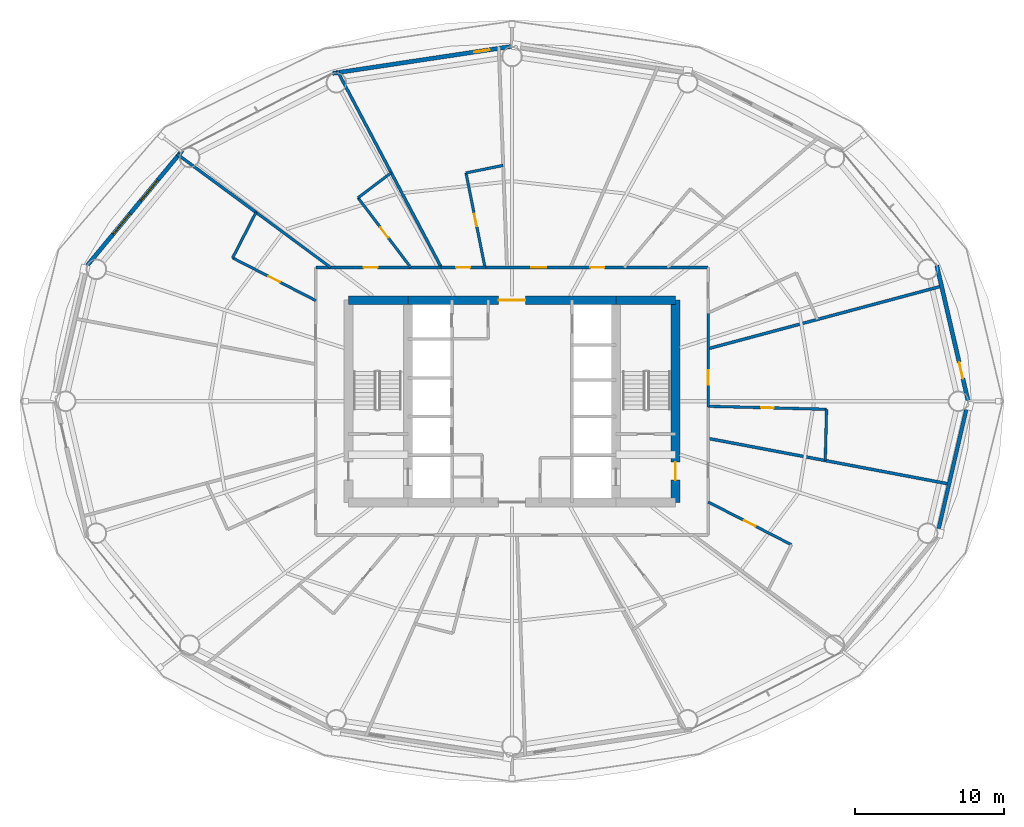
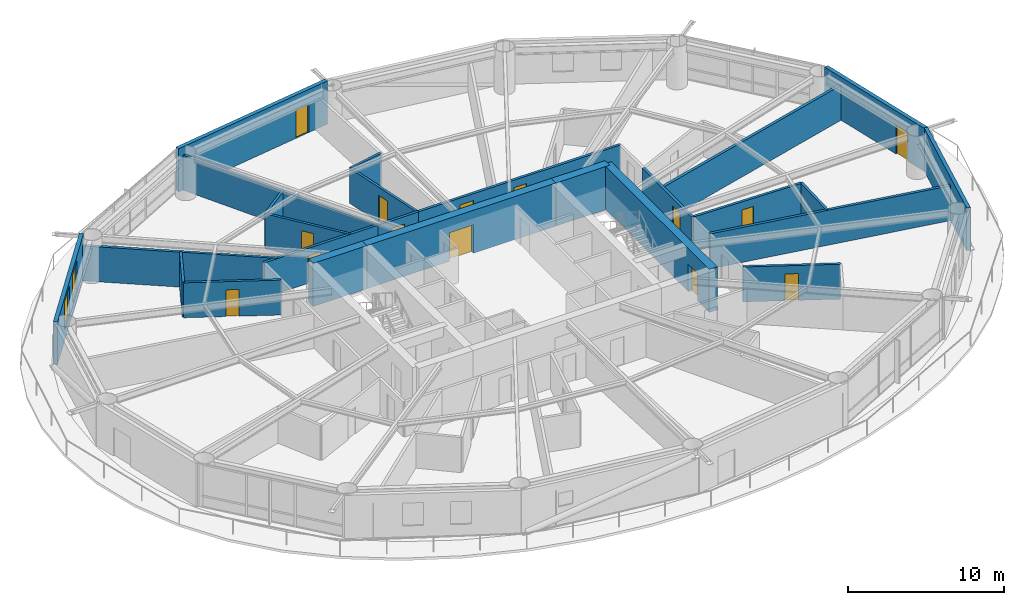
# One storey, part 22 of 26: 26 walls, 14 doors, 2 windows, 16 openings.
"""IFC4 building model written with IfcOpenShell, lengths in metres."""

from ifc_helpers import new_model, si_unit, direction, frame, frame_2d, origin, place, context, subcontext, project, spatial, rectangle, extrude, material, layer, layer_set, type_object, element, fill, save


model = new_model("IFC4")

# Units and contexts
model_context = context("Model", 3, precision=1e-05, world=origin(), true_north=direction((0.0, 1.0)))
body_context = subcontext(model_context, "Body", "Model", "MODEL_VIEW")
ifc_project = project(units=[si_unit("LENGTHUNIT", "METRE"), si_unit("AREAUNIT", "SQUARE_METRE"), si_unit("VOLUMEUNIT", "CUBIC_METRE"), si_unit("PLANEANGLEUNIT", "RADIAN"), si_unit("MASSUNIT", "GRAM", prefix="KILO")], contexts=[model_context])

# Site, building, storey
site_placement = place(None, origin())
site = spatial("IfcSite", under=ifc_project, at=site_placement, CompositionType="ELEMENT")
building_placement = place(site_placement, origin())
building = spatial("IfcBuilding", under=site, at=building_placement, Name="Sarneth Arch Tower", CompositionType="ELEMENT")
storey_placement = place(building_placement, frame((0.0, 0.0, 46.199951171875)))
storey = spatial("IfcBuildingStorey", under=building, at=storey_placement, Name="L10", CompositionType="ELEMENT", Elevation=46.199951171875)

# Wall
ifc_material_1 = material(Name="Concrete C60/75", Category="concrete")
ifc_layer_1 = layer(ifc_material_1, 0.60009765625)
ifc_layer_set_1 = layer_set([ifc_layer_1], Name="Concrete C60/75")
wall_type_1 = type_object("IfcWallType", Name="WALL-CORE-600", PredefinedType="SHEAR", material=ifc_layer_set_1)
wall_1_placement = place(storey_placement, frame((37.0, 48.800048828125, 0.0), z_axis=(0.0, 0.0, 1.0), x_axis=(1.0, 0.0, 0.0)))
element("IfcWall", 1, at=wall_1_placement, inside=storey, type_object=wall_type_1, Name="L10 Core shear wall N-W", PredefinedType="SHEAR", context=body_context, shape_type="SweptSolid", body=[
    extrude(rectangle(XDim=4.0, YDim=0.60009765625, at=frame_2d((2.0, 0.0))), origin(), (0.0, 0.0, 1.0), 3.380126953125),
])

# Wall, opening, door
wall_2_placement = place(storey_placement, frame((41.0, 48.800048828125, 0.0), z_axis=(0.0, 0.0, 1.0), x_axis=(1.0, 0.0, 0.0)))
wall_2 = element("IfcWall", 2, at=wall_2_placement, inside=storey, type_object=wall_type_1, Name="L10 Core shear wall N-M", PredefinedType="SHEAR", context=body_context, shape_type="SweptSolid", body=[
    extrude(rectangle(XDim=14.0, YDim=0.60009765625, at=frame_2d((7.0, 0.0))), origin(), (0.0, 0.0, 1.0), 3.380126953125),
])
opening_1_placement = place(wall_2_placement, frame((6.10009765625, 0.0, 0.0)))
opening_1 = element("IfcOpeningElement", 3, at=opening_1_placement, cuts=wall_2, Name="Opening FD-01", PredefinedType="OPENING", context=body_context, shape_type="SweptSolid", body=[
    extrude(rectangle(XDim=1.800048828125, YDim=2.25, at=frame_2d((0.89990234375, 1.125))), frame((0.0, 0.31005859375, 0.0), z_axis=(0.0, -1.0, 0.0), x_axis=(1.0, 0.0, 0.0)), (0.0, 0.0, 1.0), 0.6201171875),
])
ifc_material_2 = material(Name="Galvanised Steel S275 fire door set", Category="steel")
door_type_1 = type_object("IfcDoorType", Name="DR-FD90-1800", OperationType="DOUBLE_DOOR_SINGLE_SWING", PredefinedType="DOOR", material=ifc_material_2)
door_1_placement = place(opening_1_placement, origin())
door_1 = element("IfcDoor", 4, at=door_1_placement, inside=storey, type_object=door_type_1, Name="L10 Central lift lobby north door", OperationType="DOUBLE_DOOR_SINGLE_SWING", OverallHeight=2.25, OverallWidth=1.800048828125, PredefinedType="DOOR", context=body_context, shape_type="SweptSolid", body=[
    extrude(rectangle(XDim=1.800048828125, YDim=2.25, at=frame_2d((0.89990234375, 1.125))), frame((0.0, 0.02490234375, 0.0), z_axis=(0.0, -1.0, 0.0), x_axis=(1.0, 0.0, 0.0)), (0.0, 0.0, 1.0), 0.050048828125),
])
fill(opening_1, door_1)

# Wall
wall_3_placement = place(storey_placement, frame((55.0, 48.800048828125, 0.0), z_axis=(0.0, 0.0, 1.0), x_axis=(1.0, 0.0, 0.0)))
element("IfcWall", 5, at=wall_3_placement, inside=storey, type_object=wall_type_1, Name="L10 Core shear wall N-E", PredefinedType="SHEAR", context=body_context, shape_type="SweptSolid", body=[
    extrude(rectangle(XDim=4.0, YDim=0.60009765625, at=frame_2d((2.0, 0.0))), origin(), (0.0, 0.0, 1.0), 3.380126953125),
])

# Wall, opening, door
wall_4_placement = place(storey_placement, frame((59.0, 35.199951171875, 0.0), z_axis=(0.0, 0.0, 1.0), x_axis=(0.0, 1.0, 0.0)))
wall_4 = element("IfcWall", 6, at=wall_4_placement, inside=storey, type_object=wall_type_1, Name="L10 Core shear wall E", PredefinedType="SHEAR", context=body_context, shape_type="SweptSolid", body=[
    extrude(rectangle(XDim=13.60009765625, YDim=0.60009765625, at=frame_2d((6.800048828125, 0.0))), origin(), (0.0, 0.0, 1.0), 3.380126953125),
])
opening_2_placement = place(wall_4_placement, frame((1.5, 0.0, 0.0)))
opening_2 = element("IfcOpeningElement", 7, at=opening_2_placement, cuts=wall_4, Name="Opening FD-02", PredefinedType="OPENING", context=body_context, shape_type="SweptSolid", body=[
    extrude(rectangle(XDim=1.199951171875, YDim=2.14990234375, at=frame_2d((0.60009765625, 1.074951171875))), frame((0.0, 0.31005859375, 0.0), z_axis=(0.0, -1.0, 0.0), x_axis=(1.0, 0.0, 0.0)), (0.0, 0.0, 1.0), 0.6201171875),
])
ifc_material_3 = material(Name="Galvanised Steel S275 fire door set", Category="steel")
door_type_2 = type_object("IfcDoorType", Name="DR-FD90-1200", OperationType="SINGLE_SWING_LEFT", PredefinedType="DOOR", material=ifc_material_3)
door_2_placement = place(opening_2_placement, origin())
door_2 = element("IfcDoor", 8, at=door_2_placement, inside=storey, type_object=door_type_2, Name="L10 Firefighting lobby 2 exit door", OperationType="SINGLE_SWING_RIGHT", OverallHeight=2.14990234375, OverallWidth=1.199951171875, PredefinedType="DOOR", context=body_context, shape_type="SweptSolid", body=[
    extrude(rectangle(XDim=1.199951171875, YDim=2.14990234375, at=frame_2d((0.60009765625, 1.074951171875))), frame((0.0, 0.02490234375, 0.0), z_axis=(0.0, -1.0, 0.0), x_axis=(1.0, 0.0, 0.0)), (0.0, 0.0, 1.0), 0.050048828125),
])
fill(opening_2, door_2)

ifc_material_4 = material(Name="Double steel-stud corridor fire wall", Category="steel")
ifc_layer_2 = layer(ifc_material_4, 0.18994140625)
ifc_layer_set_2 = layer_set([ifc_layer_2], Name="Double steel-stud corridor fire wall")
wall_type_2 = type_object("IfcWallType", Name="WALL-CORR-190", PredefinedType="PARTITIONING", material=ifc_layer_set_2)
wall_5_placement = place(storey_placement, frame((34.800048828125, 51.0, 0.0), z_axis=(0.0, 0.0, 1.0), x_axis=(1.0, 0.0, 0.0)))
wall_5 = element("IfcWall", 9, at=wall_5_placement, inside=storey, type_object=wall_type_2, Name="L10 Interior partition W-L10-TP-009", PredefinedType="PARTITIONING", context=body_context, shape_type="SweptSolid", body=[
    extrude(rectangle(XDim=8.4794921875, YDim=0.18994140625, at=frame_2d((4.23974609375, 0.0))), origin(), (0.0, 0.0, 1.0), 2.739990234375),
])
opening_3_placement = place(wall_5_placement, frame((3.2158203125, 0.0, 0.0)))
opening_3 = element("IfcOpeningElement", 10, at=opening_3_placement, cuts=wall_5, Name="Opening FD-09", PredefinedType="OPENING", context=body_context, shape_type="SweptSolid", body=[
    extrude(rectangle(XDim=0.949951171875, YDim=2.14990234375, at=frame_2d((0.47509765625, 1.074951171875))), frame((0.0, 0.10498046875, 0.0), z_axis=(0.0, -1.0, 0.0), x_axis=(1.0, 0.0, 0.0)), (0.0, 0.0, 1.0), 0.2099609375),
])
ifc_material_5 = material(Name="Hardwood timber hotel entrance fire door", Category="wood")
door_type_3 = type_object("IfcDoorType", Name="DR-FD60-950", OperationType="SINGLE_SWING_RIGHT", PredefinedType="DOOR", material=ifc_material_5)
door_3_placement = place(opening_3_placement, origin())
door_3 = element("IfcDoor", 11, at=door_3_placement, inside=storey, type_object=door_type_3, Name="L10 Interior door DR-L10-KEY-05", OperationType="SINGLE_SWING_LEFT", OverallHeight=2.14990234375, OverallWidth=0.949951171875, PredefinedType="DOOR", context=body_context, shape_type="SweptSolid", body=[
    extrude(rectangle(XDim=0.949951171875, YDim=2.14990234375, at=frame_2d((0.47509765625, 1.074951171875))), frame((0.0, 0.02490234375, 0.0), z_axis=(0.0, -1.0, 0.0), x_axis=(1.0, 0.0, 0.0)), (0.0, 0.0, 1.0), 0.050048828125),
])
fill(opening_3, door_3)

# Wall, openings, doors
wall_6_placement = place(storey_placement, frame((46.152587890625, 51.0, 0.0), z_axis=(0.0, 0.0, 1.0), x_axis=(1.0, 0.0, 0.0)))
wall_6 = element("IfcWall", 12, at=wall_6_placement, inside=storey, type_object=wall_type_2, Name="L10 Interior partition W-L10-TP-006", PredefinedType="PARTITIONING", context=body_context, shape_type="SweptSolid", body=[
    extrude(rectangle(XDim=15.04736328125, YDim=0.18994140625, at=frame_2d((7.523681640625, 0.0))), origin(), (0.0, 0.0, 1.0), 2.739990234375),
])
opening_4_placement = place(wall_6_placement, frame((3.143798828125, 0.0, 0.0)))
opening_4 = element("IfcOpeningElement", 13, at=opening_4_placement, cuts=wall_6, Name="Opening FD-08", PredefinedType="OPENING", context=body_context, shape_type="SweptSolid", body=[
    extrude(rectangle(XDim=1.0, YDim=2.199951171875, at=frame_2d((0.5, 1.10009765625))), frame((0.0, 0.10498046875, 0.0), z_axis=(0.0, -1.0, 0.0), x_axis=(1.0, 0.0, 0.0)), (0.0, 0.0, 1.0), 0.2099609375),
])
opening_5_placement = place(wall_6_placement, frame((7.118896484375, 0.0, 0.0)))
opening_5 = element("IfcOpeningElement", 14, at=opening_5_placement, cuts=wall_6, Name="Opening FD-09", PredefinedType="OPENING", context=body_context, shape_type="SweptSolid", body=[
    extrude(rectangle(XDim=0.949951171875, YDim=2.14990234375, at=frame_2d((0.47509765625, 1.074951171875))), frame((0.0, 0.10498046875, 0.0), z_axis=(0.0, -1.0, 0.0), x_axis=(1.0, 0.0, 0.0)), (0.0, 0.0, 1.0), 0.2099609375),
])
ifc_material_6 = material(Name="Hardwood timber acoustic fire door", Category="wood")
door_type_4 = type_object("IfcDoorType", Name="DR-FD60-1000", OperationType="SINGLE_SWING_LEFT", PredefinedType="DOOR", material=ifc_material_6)
door_4_placement = place(opening_4_placement, origin())
door_4 = element("IfcDoor", 15, at=door_4_placement, inside=storey, type_object=door_type_4, Name="L10 Interior door DR-L10-AMN-03", OperationType="SINGLE_SWING_RIGHT", OverallHeight=2.199951171875, OverallWidth=1.0, PredefinedType="DOOR", context=body_context, shape_type="SweptSolid", body=[
    extrude(rectangle(XDim=1.0, YDim=2.199951171875, at=frame_2d((0.5, 1.10009765625))), frame((0.0, 0.02490234375, 0.0), z_axis=(0.0, -1.0, 0.0), x_axis=(1.0, 0.0, 0.0)), (0.0, 0.0, 1.0), 0.050048828125),
])
fill(opening_4, door_4)
door_5_placement = place(opening_5_placement, origin())
door_5 = element("IfcDoor", 16, at=door_5_placement, inside=storey, type_object=door_type_3, Name="L10 Interior door DR-L10-KEY-02", OperationType="SINGLE_SWING_RIGHT", OverallHeight=2.14990234375, OverallWidth=0.949951171875, PredefinedType="DOOR", context=body_context, shape_type="SweptSolid", body=[
    extrude(rectangle(XDim=0.949951171875, YDim=2.14990234375, at=frame_2d((0.47509765625, 1.074951171875))), frame((0.0, 0.02490234375, 0.0), z_axis=(0.0, -1.0, 0.0), x_axis=(1.0, 0.0, 0.0)), (0.0, 0.0, 1.0), 0.050048828125),
])
fill(opening_5, door_5)

# Wall, opening, door
wall_7_placement = place(storey_placement, frame((61.199951171875, 47.983154296875, 0.0), z_axis=(0.0, 0.0, 1.0), x_axis=(0.0, -1.0, 0.0)))
wall_7 = element("IfcWall", 17, at=wall_7_placement, inside=storey, type_object=wall_type_2, Name="L10 Interior partition W-L10-TP-028", PredefinedType="PARTITIONING", context=body_context, shape_type="SweptSolid", body=[
    extrude(rectangle(XDim=6.35107421875, YDim=0.18994140625, at=frame_2d((3.175537109375, 0.0))), origin(), (0.0, 0.0, 1.0), 2.739990234375),
])
opening_6_placement = place(wall_7_placement, frame((3.906982421875, 0.0, 0.0)))
opening_6 = element("IfcOpeningElement", 18, at=opening_6_placement, cuts=wall_7, Name="Opening FD-09", PredefinedType="OPENING", context=body_context, shape_type="SweptSolid", body=[
    extrude(rectangle(XDim=0.949951171875, YDim=2.14990234375, at=frame_2d((0.47509765625, 1.074951171875))), frame((0.0, 0.10498046875, 0.0), z_axis=(0.0, -1.0, 0.0), x_axis=(1.0, 0.0, 0.0)), (0.0, 0.0, 1.0), 0.2099609375),
])
door_6_placement = place(opening_6_placement, origin())
door_6 = element("IfcDoor", 19, at=door_6_placement, inside=storey, type_object=door_type_3, Name="L10 Interior door DR-L10-KEY-14", OperationType="SINGLE_SWING_RIGHT", OverallHeight=2.14990234375, OverallWidth=0.949951171875, PredefinedType="DOOR", context=body_context, shape_type="SweptSolid", body=[
    extrude(rectangle(XDim=0.949951171875, YDim=2.14990234375, at=frame_2d((0.47509765625, 1.074951171875))), frame((0.0, 0.02490234375, 0.0), z_axis=(0.0, -1.0, 0.0), x_axis=(1.0, 0.0, 0.0)), (0.0, 0.0, 1.0), 0.050048828125),
])
fill(opening_6, door_6)

wall_8_placement = place(storey_placement, frame((43.207275390625, 51.0, 0.0), z_axis=(0.0, 0.0, 1.0), x_axis=(1.0, 0.0, 0.0)))
wall_8 = element("IfcWall", 20, at=wall_8_placement, inside=storey, type_object=wall_type_2, Name="L10 Interior partition W-L10-TP-007", PredefinedType="PARTITIONING", context=body_context, shape_type="SweptSolid", body=[
    extrude(rectangle(XDim=3.0107421875, YDim=0.18994140625, at=frame_2d((1.50537109375, 0.0))), origin(), (0.0, 0.0, 1.0), 2.739990234375),
])
opening_7_placement = place(wall_8_placement, frame((1.0302734375, 0.0, 0.0)))
opening_7 = element("IfcOpeningElement", 21, at=opening_7_placement, cuts=wall_8, Name="Opening FD-09", PredefinedType="OPENING", context=body_context, shape_type="SweptSolid", body=[
    extrude(rectangle(XDim=0.949951171875, YDim=2.14990234375, at=frame_2d((0.47509765625, 1.074951171875))), frame((0.0, 0.10498046875, 0.0), z_axis=(0.0, -1.0, 0.0), x_axis=(1.0, 0.0, 0.0)), (0.0, 0.0, 1.0), 0.2099609375),
])
door_7_placement = place(opening_7_placement, origin())
door_7 = element("IfcDoor", 22, at=door_7_placement, inside=storey, type_object=door_type_3, Name="L10 Interior door DR-L10-KEY-04", OperationType="SINGLE_SWING_LEFT", OverallHeight=2.14990234375, OverallWidth=0.949951171875, PredefinedType="DOOR", context=body_context, shape_type="SweptSolid", body=[
    extrude(rectangle(XDim=0.949951171875, YDim=2.14990234375, at=frame_2d((0.47509765625, 1.074951171875))), frame((0.0, 0.02490234375, 0.0), z_axis=(0.0, -1.0, 0.0), x_axis=(1.0, 0.0, 0.0)), (0.0, 0.0, 1.0), 0.050048828125),
])
fill(opening_7, door_7)

# Wall
ifc_material_7 = material(Name="Extruded terracotta rainscreen on Concrete C40/50 backing", Category="masonry")
ifc_layer_3 = layer(ifc_material_7, 0.25)
ifc_layer_set_3 = layer_set([ifc_layer_3], Name="Extruded terracotta rainscreen on Concrete C40/50 backing")
wall_type_3 = type_object("IfcWallType", Name="WALL-EXT-SPAND-250", PredefinedType="SOLIDWALL", material=ifc_layer_set_3)
wall_9_placement = place(storey_placement, frame((76.5810546875, 32.861572265625, 0.0), z_axis=(0.0, 0.0, 1.0), x_axis=(0.225454452941, 0.974253709076, 0.0)))
element("IfcWall", 23, at=wall_9_placement, inside=storey, type_object=wall_type_3, Name="L10 Terracotta perimeter wall 16", PredefinedType="SOLIDWALL", context=body_context, shape_type="SweptSolid", body=[
    extrude(rectangle(XDim=9.3798828125, YDim=0.25, at=frame_2d((4.68994140625, 0.0))), origin(), (0.0, 0.0, 1.0), 3.380126953125),
])

# Wall, opening, door
ifc_material_8 = material(Name="Extruded terracotta rainscreen on Concrete C40/50 backing", Category="masonry")
ifc_layer_4 = layer(ifc_material_8, 0.280029296875)
ifc_layer_set_4 = layer_set([ifc_layer_4], Name="Extruded terracotta rainscreen on Concrete C40/50 backing")
wall_type_4 = type_object("IfcWallType", Name="WALL-EXT-TERRA-280", PredefinedType="SOLIDWALL", material=ifc_layer_set_4)
wall_10_placement = place(storey_placement, frame((78.69580078125, 42.0, 0.0), z_axis=(0.0, 0.0, 1.0), x_axis=(-0.225454452941, 0.974253709076, 0.0)))
wall_10 = element("IfcWall", 24, at=wall_10_placement, inside=storey, type_object=wall_type_4, Name="L10 Terracotta perimeter wall 01", PredefinedType="SOLIDWALL", context=body_context, shape_type="SweptSolid", body=[
    extrude(rectangle(XDim=9.3798828125, YDim=0.280029296875, at=frame_2d((4.68994140625, 0.0))), origin(), (0.0, 0.0, 1.0), 3.380126953125),
])
opening_8_placement = place(wall_10_placement, frame((1.5791015625, 0.0, 0.0)))
opening_8 = element("IfcOpeningElement", 25, at=opening_8_placement, cuts=wall_10, Name="Opening BD-3", PredefinedType="OPENING", context=body_context, shape_type="SweptSolid", body=[
    extrude(rectangle(XDim=1.10009765625, YDim=2.25, at=frame_2d((0.550048828125, 1.125))), frame((0.0, 0.14990234375, 0.0), z_axis=(0.0, -1.0, 0.0), x_axis=(1.0, 0.0, 0.0)), (0.0, 0.0, 1.0), 0.300048828125),
])
ifc_material_9 = material(Name="Thermally broken Aluminium 6063-T6 and laminated safety glass", Category="aluminium")
door_type_5 = type_object("IfcDoorType", Name="DR-BALC-GLZ-1100", OperationType="SINGLE_SWING_LEFT", PredefinedType="DOOR", material=ifc_material_9)
door_8_placement = place(opening_8_placement, origin())
door_8 = element("IfcDoor", 26, at=door_8_placement, inside=storey, type_object=door_type_5, Name="L10 Balcony glazed door 01", OperationType="SINGLE_SWING_LEFT", OverallHeight=2.25, OverallWidth=1.10009765625, PredefinedType="DOOR", context=body_context, shape_type="SweptSolid", body=[
    extrude(rectangle(XDim=1.10009765625, YDim=2.25, at=frame_2d((0.550048828125, 1.125))), frame((0.0, 0.02490234375, 0.0), z_axis=(0.0, -1.0, 0.0), x_axis=(1.0, 0.0, 0.0)), (0.0, 0.0, 1.0), 0.050048828125),
])
fill(opening_8, door_8)

wall_11_placement = place(storey_placement, frame((48.0, 65.8798828125, 0.0), z_axis=(0.0, 0.0, 1.0), x_axis=(-0.988864835849, -0.148816452121, 0.0)))
wall_11 = element("IfcWall", 27, at=wall_11_placement, inside=storey, type_object=wall_type_4, Name="L10 Terracotta perimeter wall 05", PredefinedType="SOLIDWALL", context=body_context, shape_type="SweptSolid", body=[
    extrude(rectangle(XDim=12.2138671875, YDim=0.280029296875, at=frame_2d((6.10693359375, 0.0))), origin(), (0.0, 0.0, 1.0), 3.380126953125),
])
opening_9_placement = place(wall_11_placement, frame((1.53125, 0.0, 0.0)))
opening_9 = element("IfcOpeningElement", 28, at=opening_9_placement, cuts=wall_11, Name="Opening BD-4", PredefinedType="OPENING", context=body_context, shape_type="SweptSolid", body=[
    extrude(rectangle(XDim=1.050048828125, YDim=2.199951171875, at=frame_2d((0.52490234375, 1.10009765625))), frame((0.0, 0.14990234375, 0.0), z_axis=(0.0, -1.0, 0.0), x_axis=(1.0, 0.0, 0.0)), (0.0, 0.0, 1.0), 0.300048828125),
])
ifc_material_10 = material(Name="Thermally broken Aluminium 6063-T6 and laminated safety glass", Category="aluminium")
door_type_6 = type_object("IfcDoorType", Name="DR-BALC-GLZ-1050", OperationType="SINGLE_SWING_RIGHT", PredefinedType="DOOR", material=ifc_material_10)
door_9_placement = place(opening_9_placement, origin())
door_9 = element("IfcDoor", 29, at=door_9_placement, inside=storey, type_object=door_type_6, Name="L10 Balcony glazed door 05", OperationType="SINGLE_SWING_RIGHT", OverallHeight=2.199951171875, OverallWidth=1.050048828125, PredefinedType="DOOR", context=body_context, shape_type="SweptSolid", body=[
    extrude(rectangle(XDim=1.050048828125, YDim=2.199951171875, at=frame_2d((0.52490234375, 1.10009765625))), frame((0.0, 0.02490234375, 0.0), z_axis=(0.0, -1.0, 0.0), x_axis=(1.0, 0.0, 0.0)), (0.0, 0.0, 1.0), 0.050048828125),
])
fill(opening_9, door_9)

# Wall, openings, windows
wall_12_placement = place(storey_placement, frame((25.825927734375, 58.8857421875, 0.0), z_axis=(0.0, 0.0, 1.0), x_axis=(-0.637296809613, -0.770618437657, 0.0)))
wall_12 = element("IfcWall", 30, at=wall_12_placement, inside=storey, type_object=wall_type_4, Name="L10 Terracotta perimeter wall 07", PredefinedType="SOLIDWALL", context=body_context, shape_type="SweptSolid", body=[
    extrude(rectangle(XDim=10.053466796875, YDim=0.280029296875, at=frame_2d((5.02685546875, 0.0))), origin(), (0.0, 0.0, 1.0), 3.380126953125),
])
opening_10_placement = place(wall_12_placement, frame((2.597900390625, 0.0, 0.85009765625)))
opening_10 = element("IfcOpeningElement", 31, at=opening_10_placement, cuts=wall_12, Name="Opening W-04", PredefinedType="OPENING", context=body_context, shape_type="SweptSolid", body=[
    extrude(rectangle(XDim=1.800048828125, YDim=2.199951171875, at=frame_2d((0.89990234375, 1.10009765625))), frame((0.0, 0.14990234375, 0.0), z_axis=(0.0, -1.0, 0.0), x_axis=(1.0, 0.0, 0.0)), (0.0, 0.0, 1.0), 0.300048828125),
])
opening_11_placement = place(wall_12_placement, frame((5.52978515625, 0.0, 0.85009765625)))
opening_11 = element("IfcOpeningElement", 32, at=opening_11_placement, cuts=wall_12, Name="Opening W-04", PredefinedType="OPENING", context=body_context, shape_type="SweptSolid", body=[
    extrude(rectangle(XDim=1.800048828125, YDim=2.199951171875, at=frame_2d((0.89990234375, 1.10009765625))), frame((0.0, 0.14990234375, 0.0), z_axis=(0.0, -1.0, 0.0), x_axis=(1.0, 0.0, 0.0)), (0.0, 0.0, 1.0), 0.300048828125),
])
ifc_material_11 = material(Name="Thermally broken Aluminium 6063-T6 and low-e laminated IGU", Category="aluminium")
window_type = type_object("IfcWindowType", Name="WIN-TWR-1800x2200", PartitioningType="DOUBLE_PANEL_VERTICAL", PredefinedType="WINDOW", material=ifc_material_11)
window_1_placement = place(opening_10_placement, origin())
window_1 = element("IfcWindow", 33, at=window_1_placement, inside=storey, type_object=window_type, Name="L10 Exterior window 07A", OverallHeight=2.199951171875, OverallWidth=1.800048828125, PartitioningType="SINGLE_PANEL", PredefinedType="WINDOW", context=body_context, shape_type="SweptSolid", body=[
    extrude(rectangle(XDim=1.800048828125, YDim=2.199951171875, at=frame_2d((0.89990234375, 1.10009765625))), frame((0.0, 0.030029296875, 0.0), z_axis=(0.0, -1.0, 0.0), x_axis=(1.0, 0.0, 0.0)), (0.0, 0.0, 1.0), 0.06005859375),
])
fill(opening_10, window_1)
window_2_placement = place(opening_11_placement, origin())
window_2 = element("IfcWindow", 34, at=window_2_placement, inside=storey, type_object=window_type, Name="L10 Exterior window 07B", OverallHeight=2.199951171875, OverallWidth=1.800048828125, PartitioningType="SINGLE_PANEL", PredefinedType="WINDOW", context=body_context, shape_type="SweptSolid", body=[
    extrude(rectangle(XDim=1.800048828125, YDim=2.199951171875, at=frame_2d((0.89990234375, 1.10009765625))), frame((0.0, 0.030029296875, 0.0), z_axis=(0.0, -1.0, 0.0), x_axis=(1.0, 0.0, 0.0)), (0.0, 0.0, 1.0), 0.06005859375),
])
fill(opening_11, window_2)

# Wall, opening, door
ifc_material_12 = material(Name="Moisture-resistant plumbing chase wall", Category="gypsum")
ifc_layer_5 = layer(ifc_material_12, 0.179931640625)
ifc_layer_set_5 = layer_set([ifc_layer_5], Name="Moisture-resistant plumbing chase wall")
wall_type_5 = type_object("IfcWallType", Name="WALL-PLUMB-180", PredefinedType="PLUMBINGWALL", material=ifc_layer_set_5)
wall_13_placement = place(storey_placement, frame((69.165283203125, 41.461669921875, 0.0), z_axis=(0.0, 0.0, 1.0), x_axis=(-0.999676564425, 0.025431605115, 0.0)))
wall_13 = element("IfcWall", 35, at=wall_13_placement, inside=storey, type_object=wall_type_5, Name="L10 Interior partition W-L10-TP-076", PredefinedType="PLUMBINGWALL", context=body_context, shape_type="SweptSolid", body=[
    extrude(rectangle(XDim=7.968017578125, YDim=0.179931640625, at=frame_2d((3.98388671875, 0.0))), origin(), (0.0, 0.0, 1.0), 2.739990234375),
])
opening_12_placement = place(wall_13_placement, frame((3.55908203125, 0.0, 0.0)))
opening_12 = element("IfcOpeningElement", 36, at=opening_12_placement, cuts=wall_13, Name="Opening ID-02", PredefinedType="OPENING", context=body_context, shape_type="SweptSolid", body=[
    extrude(rectangle(XDim=0.85009765625, YDim=2.10009765625, at=frame_2d((0.425048828125, 1.050048828125))), frame((0.0, 0.099853515625, 0.0), z_axis=(0.0, -1.0, 0.0), x_axis=(1.0, 0.0, 0.0)), (0.0, 0.0, 1.0), 0.199951171875),
])
ifc_material_13 = material(Name="Moisture-resistant bathroom timber door", Category="wood")
door_type_7 = type_object("IfcDoorType", Name="DR-INT-850", OperationType="SINGLE_SWING_RIGHT", PredefinedType="DOOR", material=ifc_material_13)
door_10_placement = place(opening_12_placement, origin())
door_10 = element("IfcDoor", 37, at=door_10_placement, inside=storey, type_object=door_type_7, Name="L10 Interior door DR-L10-ENS-14", OperationType="SINGLE_SWING_LEFT", OverallHeight=2.10009765625, OverallWidth=0.85009765625, PredefinedType="DOOR", context=body_context, shape_type="SweptSolid", body=[
    extrude(rectangle(XDim=0.85009765625, YDim=2.10009765625, at=frame_2d((0.425048828125, 1.050048828125))), frame((0.0, 0.02490234375, 0.0), z_axis=(0.0, -1.0, 0.0), x_axis=(1.0, 0.0, 0.0)), (0.0, 0.0, 1.0), 0.050048828125),
])
fill(opening_12, door_10)

wall_14_placement = place(storey_placement, frame((44.901611328125, 57.36669921875, 0.0), z_axis=(0.0, 0.0, 1.0), x_axis=(0.197648412503, -0.980272974755, 0.0)))
wall_14 = element("IfcWall", 38, at=wall_14_placement, inside=storey, type_object=wall_type_5, Name="L10 Interior partition W-L10-TP-042", PredefinedType="PLUMBINGWALL", context=body_context, shape_type="SweptSolid", body=[
    extrude(rectangle(XDim=6.494873046875, YDim=0.179931640625, at=frame_2d((3.24755859375, 0.0))), origin(), (0.0, 0.0, 1.0), 2.739990234375),
])
opening_13_placement = place(wall_14_placement, frame((2.822509765625, 0.0, 0.0)))
opening_13 = element("IfcOpeningElement", 39, at=opening_13_placement, cuts=wall_14, Name="Opening ID-02", PredefinedType="OPENING", context=body_context, shape_type="SweptSolid", body=[
    extrude(rectangle(XDim=0.85009765625, YDim=2.10009765625, at=frame_2d((0.425048828125, 1.050048828125))), frame((0.0, 0.099853515625, 0.0), z_axis=(0.0, -1.0, 0.0), x_axis=(1.0, 0.0, 0.0)), (0.0, 0.0, 1.0), 0.199951171875),
])
door_11_placement = place(opening_13_placement, origin())
door_11 = element("IfcDoor", 40, at=door_11_placement, inside=storey, type_object=door_type_7, Name="L10 Interior door DR-L10-ENS-04", OperationType="SINGLE_SWING_LEFT", OverallHeight=2.10009765625, OverallWidth=0.85009765625, PredefinedType="DOOR", context=body_context, shape_type="SweptSolid", body=[
    extrude(rectangle(XDim=0.85009765625, YDim=2.10009765625, at=frame_2d((0.425048828125, 1.050048828125))), frame((0.0, 0.02490234375, 0.0), z_axis=(0.0, -1.0, 0.0), x_axis=(1.0, 0.0, 0.0)), (0.0, 0.0, 1.0), 0.050048828125),
])
fill(opening_13, door_11)

wall_15_placement = place(storey_placement, frame((34.800048828125, 48.775634765625, 0.0), z_axis=(0.0, 0.0, 1.0), x_axis=(-0.889651376734, 0.456640370395, 0.0)))
wall_15 = element("IfcWall", 41, at=wall_15_placement, inside=storey, type_object=wall_type_5, Name="L10 Interior partition W-L10-TP-049", PredefinedType="PLUMBINGWALL", context=body_context, shape_type="SweptSolid", body=[
    extrude(rectangle(XDim=6.292236328125, YDim=0.179931640625, at=frame_2d((3.14599609375, 0.0))), origin(), (0.0, 0.0, 1.0), 2.739990234375),
])
opening_14_placement = place(wall_15_placement, frame((2.72119140625, 0.0, 0.0)))
opening_14 = element("IfcOpeningElement", 42, at=opening_14_placement, cuts=wall_15, Name="Opening ID-02", PredefinedType="OPENING", context=body_context, shape_type="SweptSolid", body=[
    extrude(rectangle(XDim=0.85009765625, YDim=2.10009765625, at=frame_2d((0.425048828125, 1.050048828125))), frame((0.0, 0.099853515625, 0.0), z_axis=(0.0, -1.0, 0.0), x_axis=(1.0, 0.0, 0.0)), (0.0, 0.0, 1.0), 0.199951171875),
])
door_12_placement = place(opening_14_placement, origin())
door_12 = element("IfcDoor", 43, at=door_12_placement, inside=storey, type_object=door_type_7, Name="L10 Interior door DR-L10-ENS-06", OperationType="SINGLE_SWING_LEFT", OverallHeight=2.10009765625, OverallWidth=0.85009765625, PredefinedType="DOOR", context=body_context, shape_type="SweptSolid", body=[
    extrude(rectangle(XDim=0.85009765625, YDim=2.10009765625, at=frame_2d((0.425048828125, 1.050048828125))), frame((0.0, 0.02490234375, 0.0), z_axis=(0.0, -1.0, 0.0), x_axis=(1.0, 0.0, 0.0)), (0.0, 0.0, 1.0), 0.050048828125),
])
fill(opening_14, door_12)

wall_16_placement = place(storey_placement, frame((61.199951171875, 35.224365234375, 0.0), z_axis=(0.0, 0.0, 1.0), x_axis=(0.889651376734, -0.456640370395, 0.0)))
wall_16 = element("IfcWall", 44, at=wall_16_placement, inside=storey, type_object=wall_type_5, Name="L10 Interior partition W-L10-TP-071", PredefinedType="PLUMBINGWALL", context=body_context, shape_type="SweptSolid", body=[
    extrude(rectangle(XDim=6.292236328125, YDim=0.179931640625, at=frame_2d((3.14599609375, 0.0))), origin(), (0.0, 0.0, 1.0), 2.739990234375),
])
opening_15_placement = place(wall_16_placement, frame((2.72119140625, 0.0, 0.0)))
opening_15 = element("IfcOpeningElement", 45, at=opening_15_placement, cuts=wall_16, Name="Opening ID-02", PredefinedType="OPENING", context=body_context, shape_type="SweptSolid", body=[
    extrude(rectangle(XDim=0.85009765625, YDim=2.10009765625, at=frame_2d((0.425048828125, 1.050048828125))), frame((0.0, 0.099853515625, 0.0), z_axis=(0.0, -1.0, 0.0), x_axis=(1.0, 0.0, 0.0)), (0.0, 0.0, 1.0), 0.199951171875),
])
door_13_placement = place(opening_15_placement, origin())
door_13 = element("IfcDoor", 46, at=door_13_placement, inside=storey, type_object=door_type_7, Name="L10 Interior door DR-L10-ENS-13", OperationType="SINGLE_SWING_LEFT", OverallHeight=2.10009765625, OverallWidth=0.85009765625, PredefinedType="DOOR", context=body_context, shape_type="SweptSolid", body=[
    extrude(rectangle(XDim=0.85009765625, YDim=2.10009765625, at=frame_2d((0.425048828125, 1.050048828125))), frame((0.0, 0.02490234375, 0.0), z_axis=(0.0, -1.0, 0.0), x_axis=(1.0, 0.0, 0.0)), (0.0, 0.0, 1.0), 0.050048828125),
])
fill(opening_15, door_13)

# Wall
wall_17_placement = place(storey_placement, frame((30.77490234375, 54.712890625, 0.0), z_axis=(0.0, 0.0, 1.0), x_axis=(0.804582519588, -0.593840861825, 0.0)))
element("IfcWall", 47, at=wall_17_placement, inside=storey, type_object=wall_type_5, Name="L10 Interior partition W-L10-TP-048", PredefinedType="PLUMBINGWALL", context=body_context, shape_type="SweptSolid", body=[
    extrude(rectangle(XDim=6.25244140625, YDim=0.179931640625, at=frame_2d((3.126220703125, 0.0))), origin(), (0.0, 0.0, 1.0), 2.739990234375),
])

# Wall, opening, door
wall_18_placement = place(storey_placement, frame((37.640380859375, 55.690673828125, 0.0), z_axis=(0.0, 0.0, 1.0), x_axis=(0.603401299207, -0.797437691682, 0.0)))
wall_18 = element("IfcWall", 48, at=wall_18_placement, inside=storey, type_object=wall_type_5, Name="L10 Interior partition W-L10-TP-046", PredefinedType="PLUMBINGWALL", context=body_context, shape_type="SweptSolid", body=[
    extrude(rectangle(XDim=5.882080078125, YDim=0.179931640625, at=frame_2d((2.94091796875, 0.0))), origin(), (0.0, 0.0, 1.0), 2.739990234375),
])
opening_16_placement = place(wall_18_placement, frame((2.51611328125, 0.0, 0.0)))
opening_16 = element("IfcOpeningElement", 49, at=opening_16_placement, cuts=wall_18, Name="Opening ID-02", PredefinedType="OPENING", context=body_context, shape_type="SweptSolid", body=[
    extrude(rectangle(XDim=0.85009765625, YDim=2.10009765625, at=frame_2d((0.425048828125, 1.050048828125))), frame((0.0, 0.099853515625, 0.0), z_axis=(0.0, -1.0, 0.0), x_axis=(1.0, 0.0, 0.0)), (0.0, 0.0, 1.0), 0.199951171875),
])
door_14_placement = place(opening_16_placement, origin())
door_14 = element("IfcDoor", 50, at=door_14_placement, inside=storey, type_object=door_type_7, Name="L10 Interior door DR-L10-ENS-05", OperationType="SINGLE_SWING_LEFT", OverallHeight=2.10009765625, OverallWidth=0.85009765625, PredefinedType="DOOR", context=body_context, shape_type="SweptSolid", body=[
    extrude(rectangle(XDim=0.85009765625, YDim=2.10009765625, at=frame_2d((0.425048828125, 1.050048828125))), frame((0.0, 0.02490234375, 0.0), z_axis=(0.0, -1.0, 0.0), x_axis=(1.0, 0.0, 0.0)), (0.0, 0.0, 1.0), 0.050048828125),
])
fill(opening_16, door_14)

# Walls
wall_19_placement = place(storey_placement, frame((69.07763671875, 38.011962890625, 0.0), z_axis=(0.0, 0.0, 1.0), x_axis=(0.02539873932, 0.999677399985, 0.0)))
element("IfcWall", 51, at=wall_19_placement, inside=storey, type_object=wall_type_5, Name="L10 Interior partition W-L10-TP-075", PredefinedType="PLUMBINGWALL", context=body_context, shape_type="SweptSolid", body=[
    extrude(rectangle(XDim=3.450927734375, YDim=0.179931640625, at=frame_2d((1.7255859375, 0.0))), origin(), (0.0, 0.0, 1.0), 2.739990234375),
])
wall_20_placement = place(storey_placement, frame((29.2021484375, 51.64892578125, 0.0), z_axis=(0.0, 0.0, 1.0), x_axis=(0.456659133546, 0.889641745732, 0.0)))
element("IfcWall", 52, at=wall_20_placement, inside=storey, type_object=wall_type_5, Name="L10 Interior partition W-L10-TP-050", PredefinedType="PLUMBINGWALL", context=body_context, shape_type="SweptSolid", body=[
    extrude(rectangle(XDim=3.444091796875, YDim=0.179931640625, at=frame_2d((1.72216796875, 0.0))), origin(), (0.0, 0.0, 1.0), 2.739990234375),
])
wall_21_placement = place(storey_placement, frame((39.871826171875, 57.379150390625, 0.0), z_axis=(0.0, 0.0, 1.0), x_axis=(-0.797438154909, -0.603400687019, 0.0)))
element("IfcWall", 53, at=wall_21_placement, inside=storey, type_object=wall_type_5, Name="L10 Interior partition W-L10-TP-045", PredefinedType="PLUMBINGWALL", context=body_context, shape_type="SweptSolid", body=[
    extrude(rectangle(XDim=2.79833984375, YDim=0.179931640625, at=frame_2d((1.399169921875, 0.0))), origin(), (0.0, 0.0, 1.0), 2.739990234375),
])
wall_22_placement = place(storey_placement, frame((47.406005859375, 57.87158203125, 0.0), z_axis=(0.0, 0.0, 1.0), x_axis=(-0.980278128955, -0.1976228476, 0.0)))
element("IfcWall", 54, at=wall_22_placement, inside=storey, type_object=wall_type_5, Name="L10 Interior partition W-L10-TP-041", PredefinedType="PLUMBINGWALL", context=body_context, shape_type="SweptSolid", body=[
    extrude(rectangle(XDim=2.5546875, YDim=0.179931640625, at=frame_2d((1.27734375, 0.0))), origin(), (0.0, 0.0, 1.0), 2.739990234375),
])
ifc_material_14 = material(Name="Double steel-stud acoustic drywall", Category="steel")
ifc_layer_6 = layer(ifc_material_14, 0.199951171875)
ifc_layer_set_6 = layer_set([ifc_layer_6], Name="Double steel-stud acoustic drywall")
wall_type_6 = type_object("IfcWallType", Name="WALL-UNIT-200", PredefinedType="PARTITIONING", material=ifc_layer_set_6)
wall_23_placement = place(storey_placement, frame((61.199951171875, 45.536865234375, 0.0), z_axis=(0.0, 0.0, 1.0), x_axis=(0.965922233104, 0.258832454679, 0.0)))
element("IfcWall", 55, at=wall_23_placement, inside=storey, type_object=wall_type_6, Name="L10 Interior partition W-L10-TP-034", PredefinedType="PARTITIONING", context=body_context, shape_type="SweptSolid", body=[
    extrude(rectangle(XDim=16.37744140625, YDim=0.199951171875, at=frame_2d((8.188720703125, 0.0))), origin(), (0.0, 0.0, 1.0), 2.739990234375),
])
wall_24_placement = place(storey_placement, frame((61.199951171875, 39.50244140625, 0.0), z_axis=(0.0, 0.0, 1.0), x_axis=(0.982565603173, -0.185916205484, 0.0)))
element("IfcWall", 56, at=wall_24_placement, inside=storey, type_object=wall_type_6, Name="L10 Interior partition W-L10-TP-073", PredefinedType="PARTITIONING", context=body_context, shape_type="SweptSolid", body=[
    extrude(rectangle(XDim=16.61572265625, YDim=0.199951171875, at=frame_2d((8.307861328125, 0.0))), origin(), (0.0, 0.0, 1.0), 2.739990234375),
])
wall_25_placement = place(storey_placement, frame((43.243408203125, 51.0, 0.0), z_axis=(0.0, 0.0, 1.0), x_axis=(-0.467270516294, 0.884114395654, 0.0)))
element("IfcWall", 57, at=wall_25_placement, inside=storey, type_object=wall_type_6, Name="L10 Interior partition W-L10-TP-043", PredefinedType="PARTITIONING", context=body_context, shape_type="SweptSolid", body=[
    extrude(rectangle(XDim=14.960205078125, YDim=0.199951171875, at=frame_2d((7.47998046875, 0.0))), origin(), (0.0, 0.0, 1.0), 2.739990234375),
])
wall_26_placement = place(storey_placement, frame((25.4619140625, 58.6337890625, 0.0), z_axis=(0.0, 0.0, 1.0), x_axis=(0.804616980297, -0.593794168898, 0.0)))
element("IfcWall", 58, at=wall_26_placement, inside=storey, type_object=wall_type_6, Name="L10 Interior partition W-L10-TP-047", PredefinedType="PARTITIONING", context=body_context, shape_type="SweptSolid", body=[
    extrude(rectangle(XDim=6.60302734375, YDim=0.199951171875, at=frame_2d((3.301513671875, 0.0))), origin(), (0.0, 0.0, 1.0), 2.739990234375),
])

save(model, "model.ifc")
